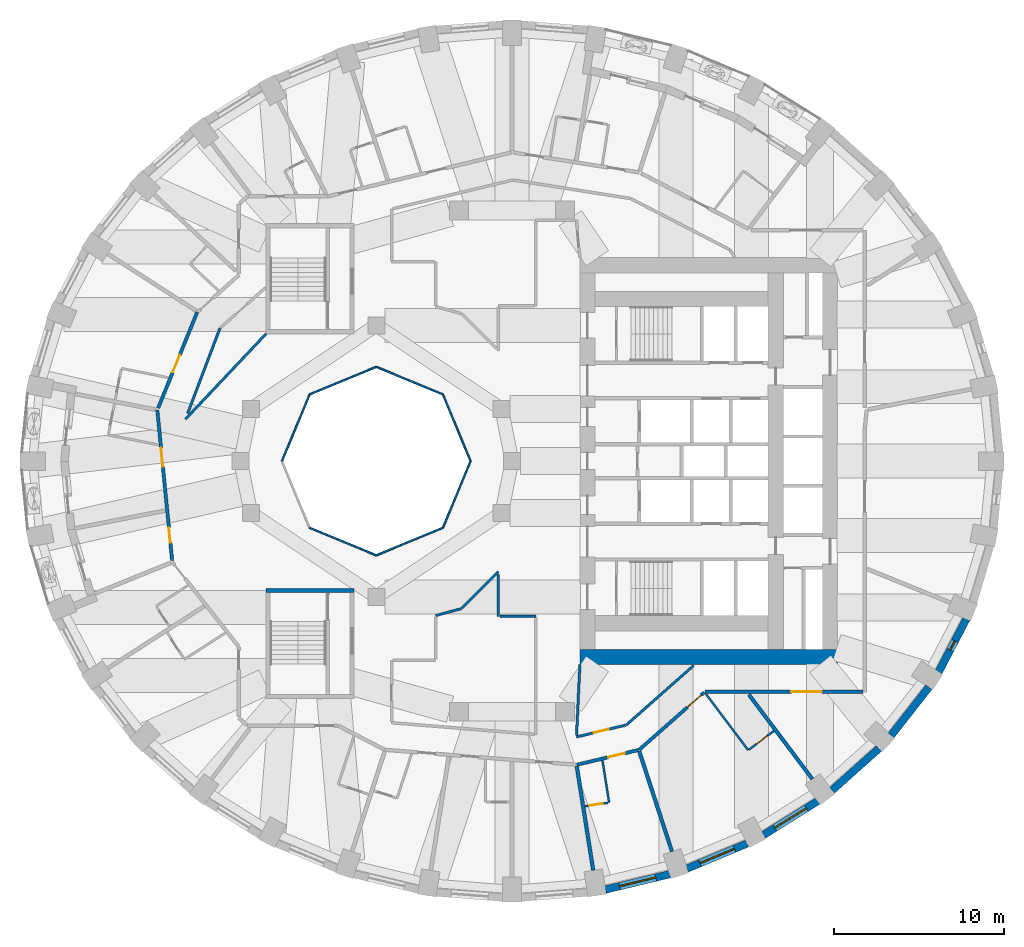
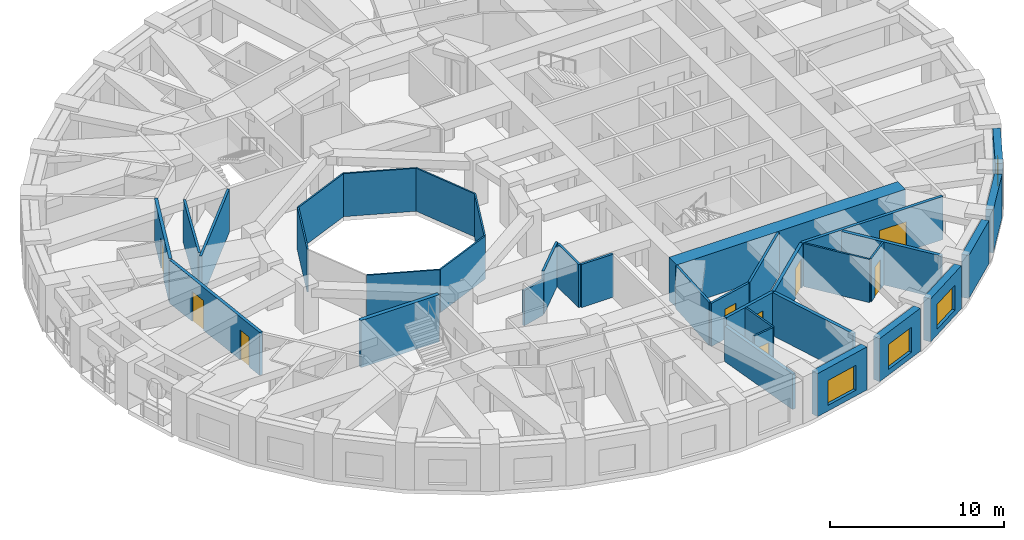
# One storey, part 5 of 13: 36 walls, 9 doors, 4 windows, 13 openings.
"""IFC4 building model written with IfcOpenShell, lengths in metres."""

from ifc_helpers import new_model, si_unit, direction, frame, frame_2d, origin, place, context, subcontext, project, spatial, rectangle, extrude, material, layer, layer_set, type_object, element, fill, save


model = new_model("IFC4")

# Units and contexts
model_context = context("Model", 3, precision=1e-05, world=origin(), true_north=direction((0.0, 1.0)))
body_context = subcontext(model_context, "Body", "Model", "MODEL_VIEW")
ifc_project = project(units=[si_unit("LENGTHUNIT", "METRE"), si_unit("AREAUNIT", "SQUARE_METRE"), si_unit("VOLUMEUNIT", "CUBIC_METRE"), si_unit("PLANEANGLEUNIT", "RADIAN"), si_unit("MASSUNIT", "GRAM", prefix="KILO")], contexts=[model_context])

# Site, building, storey
site_placement = place(None, origin())
site = spatial("IfcSite", under=ifc_project, at=site_placement, CompositionType="ELEMENT")
building_placement = place(site_placement, origin())
building = spatial("IfcBuilding", under=site, at=building_placement, Name="Taillehof Tower", CompositionType="ELEMENT")
storey_placement = place(building_placement, frame((0.0, 0.0, 61.300048828125)))
storey = spatial("IfcBuildingStorey", under=building, at=storey_placement, Name="L16", CompositionType="ELEMENT", Elevation=61.300048828125)

# Walls
ifc_material_1 = material(Name="Fire-resisting glass in steel frame", Category="steel")
ifc_layer_1 = layer(ifc_material_1, 0.10009765625)
ifc_layer_set_1 = layer_set([ifc_layer_1], Name="Atrium fire-resisting screen EI 60 100")
wall_type_1 = type_object("IfcWallType", Name="Atrium fire-resisting screen EI 60 100", PredefinedType="PARTITIONING", material=ifc_layer_set_1)
for number, where, z_axis, x_axis, name in (
    (1, (-2.44580078125, 0.0, 0.0), (0.0, 0.0, 1.0), (-0.382730523909, -0.923860025149, 0.0), "Atrium screen"),
    (2, (-4.07275390625, -3.92724609375, 0.0), (0.0, 0.0, 1.0), (-0.923860025149, -0.382730523909, 0.0), "Atrium screen"),
    (3, (-8.0, -5.55419921875, 0.0), (0.0, 0.0, 1.0), (-0.923860025149, 0.382730523909, 0.0), "Atrium screen"),
    (4, (-13.55419921875, 0.0, 0.0), (0.0, 0.0, 1.0), (0.382730523909, 0.923860025149, 0.0), "Atrium screen"),
    (5, (-11.92724609375, 3.92724609375, 0.0), (0.0, 0.0, 1.0), (0.923860025149, 0.382730523909, 0.0), "Atrium screen"),
    (6, (-8.0, 5.55419921875, 0.0), (0.0, 0.0, 1.0), (0.923860025149, -0.382730523909, 0.0), "Atrium screen"),
    (7, (-4.07275390625, 3.92724609375, 0.0), (0.0, 0.0, 1.0), (0.382730523909, -0.923860025149, 0.0), "Atrium screen"),
):
    element("IfcWall", number, at=place(storey_placement, frame(where, z_axis=z_axis, x_axis=x_axis)), inside=storey, type_object=wall_type_1, Name=name, PredefinedType="PARTITIONING", context=body_context, shape_type="SweptSolid", body=[
        extrude(rectangle(XDim=4.2509765625, YDim=0.10009765625, at=frame_2d((2.12548828125, 0.0))), origin(), (0.0, 0.0, 1.0), 3.02001953125),
    ])

# Wall, opening, window
ifc_material_2 = material(Name="Brick masonry", Category="masonry")
ifc_layer_2 = layer(ifc_material_2, 0.449951171875)
ifc_layer_set_2 = layer_set([ifc_layer_2], Name="Brick infill wall 450")
wall_type_2 = type_object("IfcWallType", Name="Brick infill wall 450", PredefinedType="SOLIDWALL", material=ifc_layer_set_2)
wall_1_placement = place(storey_placement, frame((5.50439453125, -25.260498046875, 0.0), z_axis=(0.0, 0.0, 1.0), x_axis=(0.972496561493, 0.232917233979, 0.0)))
wall_1 = element("IfcWall", 8, at=wall_1_placement, inside=storey, type_object=wall_type_2, Name="Brick wall L16 bay 29", PredefinedType="SOLIDWALL", context=body_context, shape_type="SweptSolid", body=[
    extrude(rectangle(XDim=3.910888671875, YDim=0.449951171875, at=frame_2d((1.95556640625, 0.0))), origin(), (0.0, 0.0, 1.0), 3.02001953125),
])
opening_1_placement = place(wall_1_placement, frame((0.855224609375, 0.0, 0.39990234375)))
opening_1 = element("IfcOpeningElement", 9, at=opening_1_placement, cuts=wall_1, Name="Opening W1", PredefinedType="OPENING", context=body_context, shape_type="SweptSolid", body=[
    extrude(rectangle(XDim=2.199951171875, YDim=1.75, at=frame_2d((1.10009765625, 0.875))), frame((0.0, 0.23486328125, 0.0), z_axis=(0.0, -1.0, 0.0), x_axis=(1.0, 0.0, 0.0)), (0.0, 0.0, 1.0), 0.469970703125),
])
ifc_material_3 = material(Name="Aluminium window frame with clear double glazing", Category="aluminium")
window_type_1 = type_object("IfcWindowType", Name="Deep-set window 2200x1750", PartitioningType="SINGLE_PANEL", PredefinedType="WINDOW", material=ifc_material_3)
window_1_placement = place(opening_1_placement, origin())
window_1 = element("IfcWindow", 10, at=window_1_placement, inside=storey, type_object=window_type_1, Name="W1", OverallHeight=1.75, OverallWidth=2.199951171875, PartitioningType="SINGLE_PANEL", PredefinedType="WINDOW", context=body_context, shape_type="SweptSolid", body=[
    extrude(rectangle(XDim=2.199951171875, YDim=1.75, at=frame_2d((1.10009765625, 0.875))), frame((0.0, 0.034912109375, 0.0), z_axis=(0.0, -1.0, 0.0), x_axis=(1.0, 0.0, 0.0)), (0.0, 0.0, 1.0), 0.06005859375),
])
fill(opening_1, window_1)

wall_2_placement = place(storey_placement, frame((10.3154296875, -24.02099609375, 0.0), z_axis=(0.0, 0.0, 1.0), x_axis=(0.923031964282, 0.384723267966, 0.0)))
wall_2 = element("IfcWall", 11, at=wall_2_placement, inside=storey, type_object=wall_type_2, Name="Brick wall L16 bay 30", PredefinedType="SOLIDWALL", context=body_context, shape_type="SweptSolid", body=[
    extrude(rectangle(XDim=3.8564453125, YDim=0.449951171875, at=frame_2d((1.92822265625, 0.0))), origin(), (0.0, 0.0, 1.0), 3.02001953125),
])
opening_2_placement = place(wall_2_placement, frame((0.828125, 0.0, 0.39990234375)))
opening_2 = element("IfcOpeningElement", 12, at=opening_2_placement, cuts=wall_2, Name="Opening W1", PredefinedType="OPENING", context=body_context, shape_type="SweptSolid", body=[
    extrude(rectangle(XDim=2.199951171875, YDim=1.75, at=frame_2d((1.10009765625, 0.875))), frame((0.0, 0.23486328125, 0.0), z_axis=(0.0, -1.0, 0.0), x_axis=(1.0, 0.0, 0.0)), (0.0, 0.0, 1.0), 0.469970703125),
])
window_2_placement = place(opening_2_placement, origin())
window_2 = element("IfcWindow", 13, at=window_2_placement, inside=storey, type_object=window_type_1, Name="W1", OverallHeight=1.75, OverallWidth=2.199951171875, PartitioningType="SINGLE_PANEL", PredefinedType="WINDOW", context=body_context, shape_type="SweptSolid", body=[
    extrude(rectangle(XDim=2.199951171875, YDim=1.75, at=frame_2d((1.10009765625, 0.875))), frame((0.0, 0.034912109375, 0.0), z_axis=(0.0, -1.0, 0.0), x_axis=(1.0, 0.0, 0.0)), (0.0, 0.0, 1.0), 0.06005859375),
])
fill(opening_2, window_2)

wall_3_placement = place(storey_placement, frame((14.81689453125, -22.050537109375, 0.0), z_axis=(0.0, 0.0, 1.0), x_axis=(0.847635480093, 0.530579016629, 0.0)))
wall_3 = element("IfcWall", 14, at=wall_3_placement, inside=storey, type_object=wall_type_2, Name="Brick wall L16 bay 31", PredefinedType="SOLIDWALL", context=body_context, shape_type="SweptSolid", body=[
    extrude(rectangle(XDim=3.782470703125, YDim=0.449951171875, at=frame_2d((1.89111328125, 0.0))), origin(), (0.0, 0.0, 1.0), 3.02001953125),
])
opening_3_placement = place(wall_3_placement, frame((0.791259765625, 0.0, 0.39990234375)))
opening_3 = element("IfcOpeningElement", 15, at=opening_3_placement, cuts=wall_3, Name="Opening W1", PredefinedType="OPENING", context=body_context, shape_type="SweptSolid", body=[
    extrude(rectangle(XDim=2.199951171875, YDim=1.75, at=frame_2d((1.10009765625, 0.875))), frame((0.0, 0.23486328125, 0.0), z_axis=(0.0, -1.0, 0.0), x_axis=(1.0, 0.0, 0.0)), (0.0, 0.0, 1.0), 0.469970703125),
])
window_3_placement = place(opening_3_placement, origin())
window_3 = element("IfcWindow", 16, at=window_3_placement, inside=storey, type_object=window_type_1, Name="W1", OverallHeight=1.75, OverallWidth=2.199951171875, PartitioningType="SINGLE_PANEL", PredefinedType="WINDOW", context=body_context, shape_type="SweptSolid", body=[
    extrude(rectangle(XDim=2.199951171875, YDim=1.75, at=frame_2d((1.10009765625, 0.875))), frame((0.0, 0.034912109375, 0.0), z_axis=(0.0, -1.0, 0.0), x_axis=(1.0, 0.0, 0.0)), (0.0, 0.0, 1.0), 0.06005859375),
])
fill(opening_3, window_3)

# Walls
wall_4_placement = place(storey_placement, frame((18.87060546875, -19.406982421875, 0.0), z_axis=(0.0, 0.0, 1.0), x_axis=(0.745526233716, 0.66647628228, 0.0)))
element("IfcWall", 17, at=wall_4_placement, inside=storey, type_object=wall_type_2, Name="Brick wall L16 bay 32", PredefinedType="SOLIDWALL", context=body_context, shape_type="SweptSolid", body=[
    extrude(rectangle(XDim=3.69677734375, YDim=0.449951171875, at=frame_2d((1.848388671875, 0.0))), origin(), (0.0, 0.0, 1.0), 3.02001953125),
])
wall_5_placement = place(storey_placement, frame((22.3515625, -16.169677734375, 0.0), z_axis=(0.0, 0.0, 1.0), x_axis=(0.616661975264, 0.787228053529, 0.0)))
element("IfcWall", 18, at=wall_5_placement, inside=storey, type_object=wall_type_2, Name="Brick wall L16 bay 33", PredefinedType="SOLIDWALL", context=body_context, shape_type="SweptSolid", body=[
    extrude(rectangle(XDim=3.60986328125, YDim=0.449951171875, at=frame_2d((1.804931640625, 0.0))), origin(), (0.0, 0.0, 1.0), 3.02001953125),
])

# Wall, opening, window
wall_6_placement = place(storey_placement, frame((25.152099609375, -12.436767578125, 0.0), z_axis=(0.0, 0.0, 1.0), x_axis=(0.462492775226, 0.886623050041, 0.0)))
wall_6 = element("IfcWall", 19, at=wall_6_placement, inside=storey, type_object=wall_type_2, Name="Brick wall L16 bay 34", PredefinedType="SOLIDWALL", context=body_context, shape_type="SweptSolid", body=[
    extrude(rectangle(XDim=3.531982421875, YDim=0.449951171875, at=frame_2d((1.76611328125, 0.0))), origin(), (0.0, 0.0, 1.0), 3.02001953125),
])
opening_4_placement = place(wall_6_placement, frame((1.466064453125, 0.0, 0.39990234375)))
opening_4 = element("IfcOpeningElement", 20, at=opening_4_placement, cuts=wall_6, Name="Opening W6", PredefinedType="OPENING", context=body_context, shape_type="SweptSolid", body=[
    extrude(rectangle(XDim=0.60009765625, YDim=1.75, at=frame_2d((0.300048828125, 0.875))), frame((0.0, 0.23486328125, 0.0), z_axis=(0.0, -1.0, 0.0), x_axis=(1.0, 0.0, 0.0)), (0.0, 0.0, 1.0), 0.469970703125),
])
ifc_material_4 = material(Name="Aluminium window frame with clear double glazing", Category="aluminium")
window_type_2 = type_object("IfcWindowType", Name="Slot window 600x1750", PartitioningType="SINGLE_PANEL", PredefinedType="WINDOW", material=ifc_material_4)
window_4_placement = place(opening_4_placement, origin())
window_4 = element("IfcWindow", 21, at=window_4_placement, inside=storey, type_object=window_type_2, Name="W6", OverallHeight=1.75, OverallWidth=0.60009765625, PartitioningType="SINGLE_PANEL", PredefinedType="WINDOW", context=body_context, shape_type="SweptSolid", body=[
    extrude(rectangle(XDim=0.60009765625, YDim=1.75, at=frame_2d((0.300048828125, 0.875))), frame((0.0, 0.034912109375, 0.0), z_axis=(0.0, -1.0, 0.0), x_axis=(1.0, 0.0, 0.0)), (0.0, 0.0, 1.0), 0.06005859375),
])
fill(opening_4, window_4)

# Wall, opening, door
ifc_material_5 = material(Name="Gypsum board on steel studs, two layers each side", Category="steel")
ifc_layer_3 = layer(ifc_material_5, 0.199951171875)
ifc_layer_set_3 = layer_set([ifc_layer_3], Name="Compartment wall corridor 200")
wall_type_3 = type_object("IfcWallType", Name="Compartment wall corridor 200", PredefinedType="PARTITIONING", material=ifc_layer_set_3)
wall_7_placement = place(storey_placement, frame((20.699951171875, -13.60009765625, 0.0), z_axis=(0.0, 0.0, 1.0), x_axis=(-1.0, 0.0, 0.0)))
wall_7 = element("IfcWall", 22, at=wall_7_placement, inside=storey, type_object=wall_type_3, Name="Compartment wall", PredefinedType="PARTITIONING", context=body_context, shape_type="SweptSolid", body=[
    extrude(rectangle(XDim=9.3310546875, YDim=0.199951171875, at=frame_2d((4.66552734375, 0.0))), origin(), (0.0, 0.0, 1.0), 3.02001953125),
])
opening_5_placement = place(wall_7_placement, frame((2.436279296875, 0.0, 0.0)))
opening_5 = element("IfcOpeningElement", 23, at=opening_5_placement, cuts=wall_7, Name="Opening D1675", PredefinedType="OPENING", context=body_context, shape_type="SweptSolid", body=[
    extrude(rectangle(XDim=1.800048828125, YDim=2.10009765625, at=frame_2d((0.89990234375, 1.050048828125))), frame((0.0, 0.10986328125, 0.0), z_axis=(0.0, -1.0, 0.0), x_axis=(1.0, 0.0, 0.0)), (0.0, 0.0, 1.0), 0.219970703125),
])
ifc_material_6 = material(Name="Timber door leaf in steel frame", Category="steel")
door_type_1 = type_object("IfcDoorType", Name="Lounge and meeting room double door EI 30 1800 x 2100", OperationType="SINGLE_SWING_LEFT", PredefinedType="DOOR", material=ifc_material_6)
door_1_placement = place(opening_5_placement, origin())
door_1 = element("IfcDoor", 24, at=door_1_placement, inside=storey, type_object=door_type_1, Name="D1675", OperationType="DOUBLE_DOOR_SINGLE_SWING", OverallHeight=2.10009765625, OverallWidth=1.800048828125, PredefinedType="DOOR", context=body_context, shape_type="SweptSolid", body=[
    extrude(rectangle(XDim=1.800048828125, YDim=2.10009765625, at=frame_2d((0.89990234375, 1.050048828125))), frame((0.0, 0.02490234375, 0.0), z_axis=(0.0, -1.0, 0.0), x_axis=(1.0, 0.0, 0.0)), (0.0, 0.0, 1.0), 0.050048828125),
])
fill(opening_5, door_1)

wall_8_placement = place(storey_placement, frame((11.32421875, -13.6396484375, 0.0), z_axis=(0.0, 0.0, 1.0), x_axis=(-0.749661905767, -0.661820993201, 0.0)))
wall_8 = element("IfcWall", 25, at=wall_8_placement, inside=storey, type_object=wall_type_3, Name="Compartment wall", PredefinedType="PARTITIONING", context=body_context, shape_type="SweptSolid", body=[
    extrude(rectangle(XDim=5.102783203125, YDim=0.199951171875, at=frame_2d((2.55126953125, 0.0))), origin(), (0.0, 0.0, 1.0), 3.02001953125),
])
opening_6_placement = place(wall_8_placement, frame((0.219970703125, 0.0, 0.0)))
opening_6 = element("IfcOpeningElement", 26, at=opening_6_placement, cuts=wall_8, Name="Opening D1673", PredefinedType="OPENING", context=body_context, shape_type="SweptSolid", body=[
    extrude(rectangle(XDim=1.10009765625, YDim=2.10009765625, at=frame_2d((0.550048828125, 1.050048828125))), frame((0.0, 0.10986328125, 0.0), z_axis=(0.0, -1.0, 0.0), x_axis=(1.0, 0.0, 0.0)), (0.0, 0.0, 1.0), 0.219970703125),
])
ifc_material_7 = material(Name="Timber door leaf in steel frame", Category="steel")
door_type_2 = type_object("IfcDoorType", Name="Suite entrance door EI 30 1100 x 2100", OperationType="SINGLE_SWING_LEFT", PredefinedType="DOOR", material=ifc_material_7)
door_2_placement = place(opening_6_placement, origin())
door_2 = element("IfcDoor", 27, at=door_2_placement, inside=storey, type_object=door_type_2, Name="D1673", OperationType="SINGLE_SWING_LEFT", OverallHeight=2.10009765625, OverallWidth=1.10009765625, PredefinedType="DOOR", context=body_context, shape_type="SweptSolid", body=[
    extrude(rectangle(XDim=1.10009765625, YDim=2.10009765625, at=frame_2d((0.550048828125, 1.050048828125))), frame((0.0, 0.02490234375, 0.0), z_axis=(0.0, -1.0, 0.0), x_axis=(1.0, 0.0, 0.0)), (0.0, 0.0, 1.0), 0.050048828125),
])
fill(opening_6, door_2)

wall_9_placement = place(storey_placement, frame((7.459716796875, -17.026123046875, 0.0), z_axis=(0.0, 0.0, 1.0), x_axis=(-0.972358893616, -0.233491288928, 0.0)))
wall_9 = element("IfcWall", 28, at=wall_9_placement, inside=storey, type_object=wall_type_3, Name="Compartment wall", PredefinedType="PARTITIONING", context=body_context, shape_type="SweptSolid", body=[
    extrude(rectangle(XDim=3.745361328125, YDim=0.199951171875, at=frame_2d((1.87255859375, 0.0))), origin(), (0.0, 0.0, 1.0), 3.02001953125),
])
opening_7_placement = place(wall_9_placement, frame((0.838134765625, 0.0, 0.0)))
opening_7 = element("IfcOpeningElement", 29, at=opening_7_placement, cuts=wall_9, Name="Opening D1671", PredefinedType="OPENING", context=body_context, shape_type="SweptSolid", body=[
    extrude(rectangle(XDim=1.0, YDim=2.10009765625, at=frame_2d((0.5, 1.050048828125))), frame((0.0, 0.10986328125, 0.0), z_axis=(0.0, -1.0, 0.0), x_axis=(1.0, 0.0, 0.0)), (0.0, 0.0, 1.0), 0.219970703125),
])
ifc_material_8 = material(Name="Timber door leaf in steel frame", Category="steel")
door_type_3 = type_object("IfcDoorType", Name="Guest room door EI 30 1000 x 2100", OperationType="SINGLE_SWING_LEFT", PredefinedType="DOOR", material=ifc_material_8)
door_3_placement = place(opening_7_placement, origin())
door_3 = element("IfcDoor", 30, at=door_3_placement, inside=storey, type_object=door_type_3, Name="D1671", OperationType="SINGLE_SWING_RIGHT", OverallHeight=2.10009765625, OverallWidth=1.0, PredefinedType="DOOR", context=body_context, shape_type="SweptSolid", body=[
    extrude(rectangle(XDim=1.0, YDim=2.10009765625, at=frame_2d((0.5, 1.050048828125))), frame((0.0, 0.02490234375, 0.0), z_axis=(0.0, -1.0, 0.0), x_axis=(1.0, 0.0, 0.0)), (0.0, 0.0, 1.0), 0.050048828125),
])
fill(opening_7, door_3)

# Wall, openings, doors
wall_10_placement = place(storey_placement, frame((-20.03369140625, -5.8583984375, 0.0), z_axis=(0.0, 0.0, 1.0), x_axis=(-0.097894942705, 0.995196754513, 0.0)))
wall_10 = element("IfcWall", 31, at=wall_10_placement, inside=storey, type_object=wall_type_3, Name="Compartment wall", PredefinedType="PARTITIONING", context=body_context, shape_type="SweptSolid", body=[
    extrude(rectangle(XDim=8.91064453125, YDim=0.199951171875, at=frame_2d((4.455322265625, 0.0))), origin(), (0.0, 0.0, 1.0), 3.02001953125),
])
opening_8_placement = place(wall_10_placement, frame((5.56494140625, 0.0, 0.0)))
opening_8 = element("IfcOpeningElement", 32, at=opening_8_placement, cuts=wall_10, Name="Opening D1657", PredefinedType="OPENING", context=body_context, shape_type="SweptSolid", body=[
    extrude(rectangle(XDim=1.10009765625, YDim=2.10009765625, at=frame_2d((0.550048828125, 1.050048828125))), frame((0.0, 0.10986328125, 0.0), z_axis=(0.0, -1.0, 0.0), x_axis=(1.0, 0.0, 0.0)), (0.0, 0.0, 1.0), 0.219970703125),
])
opening_9_placement = place(wall_10_placement, frame((1.043701171875, 0.0, 0.0)))
opening_9 = element("IfcOpeningElement", 33, at=opening_9_placement, cuts=wall_10, Name="Opening D1659", PredefinedType="OPENING", context=body_context, shape_type="SweptSolid", body=[
    extrude(rectangle(XDim=0.89990234375, YDim=2.10009765625, at=frame_2d((0.449951171875, 1.050048828125))), frame((0.0, 0.10986328125, 0.0), z_axis=(0.0, -1.0, 0.0), x_axis=(1.0, 0.0, 0.0)), (0.0, 0.0, 1.0), 0.219970703125),
])
ifc_material_9 = material(Name="Timber door leaf in steel frame", Category="steel")
door_type_4 = type_object("IfcDoorType", Name="Service room door EI 30 900 x 2100", OperationType="SINGLE_SWING_LEFT", PredefinedType="DOOR", material=ifc_material_9)
door_4_placement = place(opening_9_placement, origin())
door_4 = element("IfcDoor", 34, at=door_4_placement, inside=storey, type_object=door_type_4, Name="D1659", OperationType="SINGLE_SWING_RIGHT", OverallHeight=2.10009765625, OverallWidth=0.89990234375, PredefinedType="DOOR", context=body_context, shape_type="SweptSolid", body=[
    extrude(rectangle(XDim=0.89990234375, YDim=2.10009765625, at=frame_2d((0.449951171875, 1.050048828125))), frame((0.0, 0.02490234375, 0.0), z_axis=(0.0, -1.0, 0.0), x_axis=(1.0, 0.0, 0.0)), (0.0, 0.0, 1.0), 0.050048828125),
])
fill(opening_9, door_4)
door_5_placement = place(opening_8_placement, origin())
door_5 = element("IfcDoor", 35, at=door_5_placement, inside=storey, type_object=door_type_2, Name="D1657", OperationType="SINGLE_SWING_RIGHT", OverallHeight=2.10009765625, OverallWidth=1.10009765625, PredefinedType="DOOR", context=body_context, shape_type="SweptSolid", body=[
    extrude(rectangle(XDim=1.10009765625, YDim=2.10009765625, at=frame_2d((0.550048828125, 1.050048828125))), frame((0.0, 0.02490234375, 0.0), z_axis=(0.0, -1.0, 0.0), x_axis=(1.0, 0.0, 0.0)), (0.0, 0.0, 1.0), 0.050048828125),
])
fill(opening_8, door_5)

# Wall, opening, door
wall_11_placement = place(storey_placement, frame((-20.860595703125, 3.120849609375, 0.0), z_axis=(0.0, 0.0, 1.0), x_axis=(0.377214346955, 0.926125983034, 0.0)))
wall_11 = element("IfcWall", 36, at=wall_11_placement, inside=storey, type_object=wall_type_3, Name="Compartment wall", PredefinedType="PARTITIONING", context=body_context, shape_type="SweptSolid", body=[
    extrude(rectangle(XDim=6.107177734375, YDim=0.199951171875, at=frame_2d((3.0537109375, 0.0))), origin(), (0.0, 0.0, 1.0), 3.02001953125),
])
opening_10_placement = place(wall_11_placement, frame((2.284912109375, 0.0, 0.0)))
opening_10 = element("IfcOpeningElement", 37, at=opening_10_placement, cuts=wall_11, Name="Opening D1655", PredefinedType="OPENING", context=body_context, shape_type="SweptSolid", body=[
    extrude(rectangle(XDim=1.10009765625, YDim=2.10009765625, at=frame_2d((0.550048828125, 1.050048828125))), frame((0.0, 0.10986328125, 0.0), z_axis=(0.0, -1.0, 0.0), x_axis=(1.0, 0.0, 0.0)), (0.0, 0.0, 1.0), 0.219970703125),
])
door_6_placement = place(opening_10_placement, origin())
door_6 = element("IfcDoor", 38, at=door_6_placement, inside=storey, type_object=door_type_2, Name="D1655", OperationType="SINGLE_SWING_LEFT", OverallHeight=2.10009765625, OverallWidth=1.10009765625, PredefinedType="DOOR", context=body_context, shape_type="SweptSolid", body=[
    extrude(rectangle(XDim=1.10009765625, YDim=2.10009765625, at=frame_2d((0.550048828125, 1.050048828125))), frame((0.0, 0.02490234375, 0.0), z_axis=(0.0, -1.0, 0.0), x_axis=(1.0, 0.0, 0.0)), (0.0, 0.0, 1.0), 0.050048828125),
])
fill(opening_10, door_6)

# Walls
ifc_material_10 = material(Name="Gypsum board on double steel studs with mineral wool", Category="steel")
ifc_layer_4 = layer(ifc_material_10, 0.219970703125)
ifc_layer_set_4 = layer_set([ifc_layer_4], Name="Compartment wall guest room 220")
wall_type_4 = type_object("IfcWallType", Name="Compartment wall guest room 220", PredefinedType="PARTITIONING", material=ifc_layer_set_4)
wall_12_placement = place(storey_placement, frame((4.788330078125, -24.12548828125, 0.0), z_axis=(0.0, 0.0, 1.0), x_axis=(-0.156104021501, 0.987740621049, 0.0)))
element("IfcWall", 39, at=wall_12_placement, inside=storey, type_object=wall_type_4, Name="Compartment wall", PredefinedType="PARTITIONING", context=body_context, shape_type="SweptSolid", body=[
    extrude(rectangle(XDim=6.204345703125, YDim=0.219970703125, at=frame_2d((3.10205078125, 0.0))), origin(), (0.0, 0.0, 1.0), 2.469970703125),
])
wall_13_placement = place(storey_placement, frame((9.429443359375, -23.01416015625, 0.0), z_axis=(0.0, 0.0, 1.0), x_axis=(-0.310234080117, 0.950660199826, 0.0)))
element("IfcWall", 40, at=wall_13_placement, inside=storey, type_object=wall_type_4, Name="Compartment wall", PredefinedType="PARTITIONING", context=body_context, shape_type="SweptSolid", body=[
    extrude(rectangle(XDim=6.201904296875, YDim=0.219970703125, at=frame_2d((3.10107421875, 0.0))), origin(), (0.0, 0.0, 1.0), 3.02001953125),
])
wall_14_placement = place(storey_placement, frame((17.707763671875, -18.7431640625, 0.0), z_axis=(0.0, 0.0, 1.0), x_axis=(-0.601177883261, 0.799115231164, 0.0)))
element("IfcWall", 41, at=wall_14_placement, inside=storey, type_object=wall_type_4, Name="Compartment wall", PredefinedType="PARTITIONING", context=body_context, shape_type="SweptSolid", body=[
    extrude(rectangle(XDim=6.231201171875, YDim=0.219970703125, at=frame_2d((3.11572265625, 0.0))), origin(), (0.0, 0.0, 1.0), 3.02001953125),
])
ifc_material_11 = material(Name="Gypsum board on steel studs, two layers each side", Category="steel")
ifc_layer_5 = layer(ifc_material_11, 0.14990234375)
ifc_layer_set_5 = layer_set([ifc_layer_5], Name="Compartment wall service room 150")
wall_type_5 = type_object("IfcWallType", Name="Compartment wall service room 150", PredefinedType="PARTITIONING", material=ifc_layer_set_5)
wall_15_placement = place(storey_placement, frame((-14.499267578125, 7.500732421875, 0.0), z_axis=(0.0, 0.0, 1.0), x_axis=(-0.686403699782, -0.727220709913, 0.0)))
element("IfcWall", 42, at=wall_15_placement, inside=storey, type_object=wall_type_5, Name="Compartment wall", PredefinedType="PARTITIONING", context=body_context, shape_type="SweptSolid", body=[
    extrude(rectangle(XDim=6.91455078125, YDim=0.14990234375, at=frame_2d((3.457275390625, 0.0))), origin(), (0.0, 0.0, 1.0), 3.02001953125),
])
wall_16_placement = place(storey_placement, frame((-19.117919921875, 2.810791015625, 0.0), z_axis=(0.0, 0.0, 1.0), x_axis=(0.35451573991, 0.935050046872, 0.0)))
element("IfcWall", 43, at=wall_16_placement, inside=storey, type_object=wall_type_5, Name="Compartment wall", PredefinedType="PARTITIONING", context=body_context, shape_type="SweptSolid", body=[
    extrude(rectangle(XDim=5.367431640625, YDim=0.14990234375, at=frame_2d((2.68359375, 0.0))), origin(), (0.0, 0.0, 1.0), 3.02001953125),
])
wall_17_placement = place(storey_placement, frame((-4.5, -9.104248046875, 0.0), z_axis=(0.0, 0.0, 1.0), x_axis=(0.965938363316, 0.258772251746, 0.0)))
element("IfcWall", 44, at=wall_17_placement, inside=storey, type_object=wall_type_5, Name="Compartment wall", PredefinedType="PARTITIONING", context=body_context, shape_type="SweptSolid", body=[
    extrude(rectangle(XDim=1.57470703125, YDim=0.14990234375, at=frame_2d((0.787353515625, 0.0))), origin(), (0.0, 0.0, 1.0), 2.469970703125),
])
wall_18_placement = place(storey_placement, frame((-2.95068359375, -8.66845703125, 0.0), z_axis=(0.0, 0.0, 1.0), x_axis=(0.707106781187, 0.707106781187, 0.0)))
element("IfcWall", 45, at=wall_18_placement, inside=storey, type_object=wall_type_5, Name="Compartment wall", PredefinedType="PARTITIONING", context=body_context, shape_type="SweptSolid", body=[
    extrude(rectangle(XDim=3.04150390625, YDim=0.14990234375, at=frame_2d((1.520751953125, 0.0))), origin(), (0.0, 0.0, 1.0), 3.02001953125),
])
wall_19_placement = place(storey_placement, frame((-0.800048828125, -6.697998046875, 0.0), z_axis=(0.0, 0.0, 1.0), x_axis=(0.0, -1.0, 0.0)))
element("IfcWall", 46, at=wall_19_placement, inside=storey, type_object=wall_type_5, Name="Compartment wall", PredefinedType="PARTITIONING", context=body_context, shape_type="SweptSolid", body=[
    extrude(rectangle(XDim=2.451904296875, YDim=0.14990234375, at=frame_2d((1.22607421875, 0.0))), origin(), (0.0, 0.0, 1.0), 3.02001953125),
])
wall_20_placement = place(storey_placement, frame((-0.719970703125, -9.14990234375, 0.0), z_axis=(0.0, 0.0, 1.0), x_axis=(1.0, 0.0, 0.0)))
element("IfcWall", 47, at=wall_20_placement, inside=storey, type_object=wall_type_5, Name="Compartment wall", PredefinedType="PARTITIONING", context=body_context, shape_type="SweptSolid", body=[
    extrude(rectangle(XDim=2.119873046875, YDim=0.14990234375, at=frame_2d((1.06005859375, 0.0))), origin(), (0.0, 0.0, 1.0), 3.02001953125),
])
wall_21_placement = place(storey_placement, frame((10.7041015625, -12.052490234375, 0.0), z_axis=(0.0, 0.0, 1.0), x_axis=(-0.749630421232, -0.661856654846, 0.0)))
element("IfcWall", 48, at=wall_21_placement, inside=storey, type_object=wall_type_5, Name="Compartment wall", PredefinedType="PARTITIONING", context=body_context, shape_type="SweptSolid", body=[
    extrude(rectangle(XDim=5.290283203125, YDim=0.14990234375, at=frame_2d((2.64501953125, 0.0))), origin(), (0.0, 0.0, 1.0), 3.02001953125),
])

# Wall, opening, door
wall_22_placement = place(storey_placement, frame((6.69921875, -15.563232421875, 0.0), z_axis=(0.0, 0.0, 1.0), x_axis=(-0.972350126815, -0.233527794668, 0.0)))
wall_22 = element("IfcWall", 49, at=wall_22_placement, inside=storey, type_object=wall_type_5, Name="Compartment wall", PredefinedType="PARTITIONING", context=body_context, shape_type="SweptSolid", body=[
    extrude(rectangle(XDim=2.981689453125, YDim=0.14990234375, at=frame_2d((1.49072265625, 0.0))), origin(), (0.0, 0.0, 1.0), 3.02001953125),
])
opening_11_placement = place(wall_22_placement, frame((1.040771484375, 0.0, 0.0)))
opening_11 = element("IfcOpeningElement", 50, at=opening_11_placement, cuts=wall_22, Name="Opening D1682", PredefinedType="OPENING", context=body_context, shape_type="SweptSolid", body=[
    extrude(rectangle(XDim=0.89990234375, YDim=2.10009765625, at=frame_2d((0.449951171875, 1.050048828125))), frame((0.0, 0.0849609375, 0.0), z_axis=(0.0, -1.0, 0.0), x_axis=(1.0, 0.0, 0.0)), (0.0, 0.0, 1.0), 0.169921875),
])
door_7_placement = place(opening_11_placement, origin())
door_7 = element("IfcDoor", 51, at=door_7_placement, inside=storey, type_object=door_type_4, Name="D1682", OperationType="SINGLE_SWING_LEFT", OverallHeight=2.10009765625, OverallWidth=0.89990234375, PredefinedType="DOOR", context=body_context, shape_type="SweptSolid", body=[
    extrude(rectangle(XDim=0.89990234375, YDim=2.10009765625, at=frame_2d((0.449951171875, 1.050048828125))), frame((0.0, 0.02490234375, 0.0), z_axis=(0.0, -1.0, 0.0), x_axis=(1.0, 0.0, 0.0)), (0.0, 0.0, 1.0), 0.050048828125),
])
fill(opening_11, door_7)

# Walls
wall_23_placement = place(storey_placement, frame((3.804931640625, -16.159423828125, 0.0), z_axis=(0.0, 0.0, 1.0), x_axis=(0.046832724682, 0.998902745966, 0.0)))
element("IfcWall", 52, at=wall_23_placement, inside=storey, type_object=wall_type_5, Name="Compartment wall", PredefinedType="PARTITIONING", context=body_context, shape_type="SweptSolid", body=[
    extrude(rectangle(XDim=4.165283203125, YDim=0.14990234375, at=frame_2d((2.08251953125, 0.0))), origin(), (0.0, 0.0, 1.0), 3.02001953125),
])
ifc_material_12 = material(Name="Concrete C80/95", Category="concrete")
ifc_layer_6 = layer(ifc_material_12, 0.89990234375)
ifc_layer_set_6 = layer_set([ifc_layer_6], Name="Core wall C80/95 900")
wall_type_6 = type_object("IfcWallType", Name="Core wall C80/95 900", PredefinedType="SHEAR", material=ifc_layer_set_6)
wall_24_placement = place(storey_placement, frame((4.0, -11.550048828125, 0.0), z_axis=(0.0, 0.0, 1.0), x_axis=(1.0, 0.0, 0.0)))
element("IfcWall", 53, at=wall_24_placement, inside=storey, type_object=wall_type_6, Name="Core wall CW04", PredefinedType="SHEAR", context=body_context, shape_type="SweptSolid", body=[
    extrude(rectangle(XDim=15.199951171875, YDim=0.89990234375, at=frame_2d((7.60009765625, 0.0))), origin(), (0.0, 0.0, 1.0), 3.02001953125),
])
ifc_material_13 = material(Name="Gypsum board on steel studs, moisture resistant", Category="steel")
ifc_layer_7 = layer(ifc_material_13, 0.1201171875)
ifc_layer_set_7 = layer_set([ifc_layer_7], Name="En-suite wall 120")
wall_type_7 = type_object("IfcWallType", Name="En-suite wall 120", PredefinedType="PARTITIONING", material=ifc_layer_set_7)
wall_25_placement = place(storey_placement, frame((5.332275390625, -17.639892578125, 0.0), z_axis=(0.0, 0.0, 1.0), x_axis=(0.156201560676, -0.987725200874, 0.0)))
element("IfcWall", 54, at=wall_25_placement, inside=storey, type_object=wall_type_7, Name="En-suite wall", PredefinedType="PARTITIONING", context=body_context, shape_type="SweptSolid", body=[
    extrude(rectangle(XDim=2.51806640625, YDim=0.1201171875, at=frame_2d((1.259033203125, 0.0))), origin(), (0.0, 0.0, 1.0), 3.02001953125),
])
wall_26_placement = place(storey_placement, frame((11.435302734375, -13.73193359375, 0.0), z_axis=(0.0, 0.0, 1.0), x_axis=(0.601141274104, -0.799142771079, 0.0)))
element("IfcWall", 55, at=wall_26_placement, inside=storey, type_object=wall_type_7, Name="En-suite wall", PredefinedType="PARTITIONING", context=body_context, shape_type="SweptSolid", body=[
    extrude(rectangle(XDim=4.13916015625, YDim=0.1201171875, at=frame_2d((2.069580078125, 0.0))), origin(), (0.0, 0.0, 1.0), 3.02001953125),
])

# Wall, opening, door
wall_27_placement = place(storey_placement, frame((5.666259765625, -20.13623046875, 0.0), z_axis=(0.0, 0.0, 1.0), x_axis=(-0.987722767831, -0.156216945011, 0.0)))
wall_27 = element("IfcWall", 56, at=wall_27_placement, inside=storey, type_object=wall_type_7, Name="En-suite wall", PredefinedType="PARTITIONING", context=body_context, shape_type="SweptSolid", body=[
    extrude(rectangle(XDim=1.3798828125, YDim=0.1201171875, at=frame_2d((0.68994140625, 0.0))), origin(), (0.0, 0.0, 1.0), 3.02001953125),
])
opening_12_placement = place(wall_27_placement, frame((0.31494140625, 0.0, 0.0)))
opening_12 = element("IfcOpeningElement", 57, at=opening_12_placement, cuts=wall_27, Name="Opening D1672", PredefinedType="OPENING", context=body_context, shape_type="SweptSolid", body=[
    extrude(rectangle(XDim=0.800048828125, YDim=2.10009765625, at=frame_2d((0.39990234375, 1.050048828125))), frame((0.0, 0.070068359375, 0.0), z_axis=(0.0, -1.0, 0.0), x_axis=(1.0, 0.0, 0.0)), (0.0, 0.0, 1.0), 0.14013671875),
])
ifc_material_14 = material(Name="Timber door leaf in steel frame", Category="steel")
door_type_5 = type_object("IfcDoorType", Name="En-suite door 800 x 2100", OperationType="SINGLE_SWING_LEFT", PredefinedType="DOOR", material=ifc_material_14)
door_8_placement = place(opening_12_placement, origin())
door_8 = element("IfcDoor", 58, at=door_8_placement, inside=storey, type_object=door_type_5, Name="D1672", OperationType="SINGLE_SWING_LEFT", OverallHeight=2.10009765625, OverallWidth=0.800048828125, PredefinedType="DOOR", context=body_context, shape_type="SweptSolid", body=[
    extrude(rectangle(XDim=0.800048828125, YDim=2.10009765625, at=frame_2d((0.39990234375, 1.050048828125))), frame((0.0, 0.02490234375, 0.0), z_axis=(0.0, -1.0, 0.0), x_axis=(1.0, 0.0, 0.0)), (0.0, 0.0, 1.0), 0.050048828125),
])
fill(opening_12, door_8)

wall_28_placement = place(storey_placement, frame((13.97119140625, -17.00390625, 0.0), z_axis=(0.0, 0.0, 1.0), x_axis=(0.799231057954, 0.60102388971, 0.0)))
wall_28 = element("IfcWall", 59, at=wall_28_placement, inside=storey, type_object=wall_type_7, Name="En-suite wall", PredefinedType="PARTITIONING", context=body_context, shape_type="SweptSolid", body=[
    extrude(rectangle(XDim=1.830322265625, YDim=0.1201171875, at=frame_2d((0.9150390625, 0.0))), origin(), (0.0, 0.0, 1.0), 3.02001953125),
])
opening_13_placement = place(wall_28_placement, frame((0.540283203125, 0.0, 0.0)))
opening_13 = element("IfcOpeningElement", 60, at=opening_13_placement, cuts=wall_28, Name="Opening D1674", PredefinedType="OPENING", context=body_context, shape_type="SweptSolid", body=[
    extrude(rectangle(XDim=0.800048828125, YDim=2.10009765625, at=frame_2d((0.39990234375, 1.050048828125))), frame((0.0, 0.070068359375, 0.0), z_axis=(0.0, -1.0, 0.0), x_axis=(1.0, 0.0, 0.0)), (0.0, 0.0, 1.0), 0.14013671875),
])
door_9_placement = place(opening_13_placement, origin())
door_9 = element("IfcDoor", 61, at=door_9_placement, inside=storey, type_object=door_type_5, Name="D1674", OperationType="SINGLE_SWING_LEFT", OverallHeight=2.10009765625, OverallWidth=0.800048828125, PredefinedType="DOOR", context=body_context, shape_type="SweptSolid", body=[
    extrude(rectangle(XDim=0.800048828125, YDim=2.10009765625, at=frame_2d((0.39990234375, 1.050048828125))), frame((0.0, 0.02490234375, 0.0), z_axis=(0.0, -1.0, 0.0), x_axis=(1.0, 0.0, 0.0)), (0.0, 0.0, 1.0), 0.050048828125),
])
fill(opening_13, door_9)

# Wall
ifc_material_15 = material(Name="Concrete C50/60", Category="concrete")
ifc_layer_8 = layer(ifc_material_15, 0.25)
ifc_layer_set_8 = layer_set([ifc_layer_8], Name="Stair wall C50/60 250")
wall_type_8 = type_object("IfcWallType", Name="Stair wall C50/60 250", PredefinedType="SHEAR", material=ifc_layer_set_8)
wall_29_placement = place(storey_placement, frame((-14.5, -7.625, -0.280029296875), z_axis=(0.0, 0.0, 1.0), x_axis=(1.0, 0.0, 0.0)))
element("IfcWall", 62, at=wall_29_placement, inside=storey, type_object=wall_type_8, Name="Stair wall SC", PredefinedType="SHEAR", context=body_context, shape_type="SweptSolid", body=[
    extrude(rectangle(XDim=5.199951171875, YDim=0.25, at=frame_2d((2.60009765625, 0.0))), origin(), (0.0, 0.0, 1.0), 3.300048828125),
])

save(model, "model.ifc")
